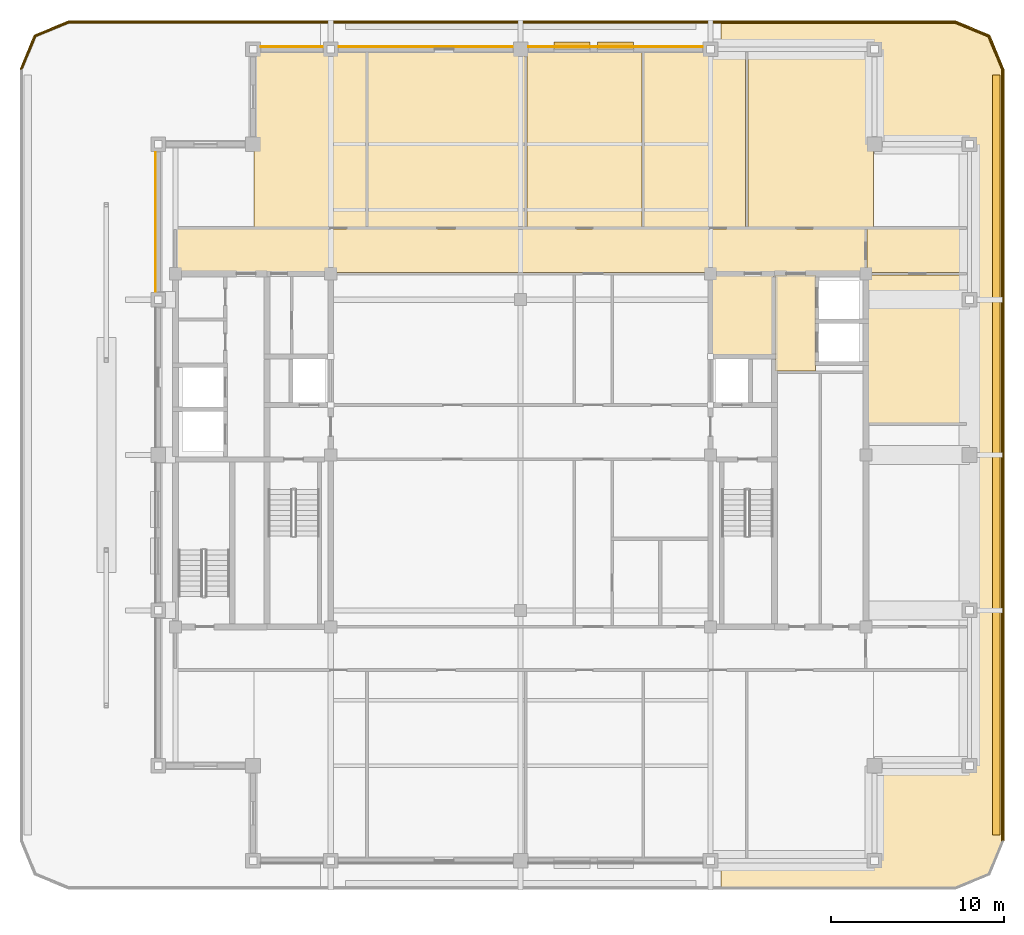
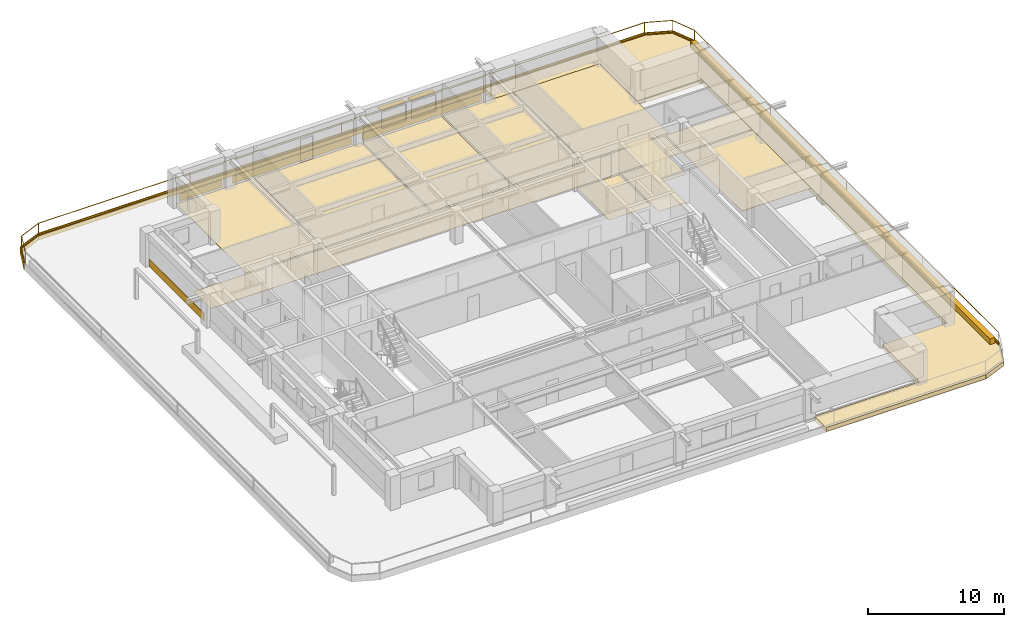
# One storey, part 14 of 14: 23 coverings, 2 railings, 2 shading devices.
"""IFC4 building model written with IfcOpenShell, lengths in metres."""

from ifc_helpers import new_model, si_unit, direction, frame, frame_2d, origin, origin_2d, place, context, subcontext, project, spatial, polyline, rectangle, outline, extrude, material, layer, layer_set, type_object, element, save


model = new_model("IFC4")

# Units and contexts
model_context = context("Model", 3, precision=1e-05, world=origin(), true_north=direction((0.0, 1.0)))
body_context = subcontext(model_context, "Body", "Model", "MODEL_VIEW")
ifc_project = project(units=[si_unit("LENGTHUNIT", "METRE"), si_unit("AREAUNIT", "SQUARE_METRE"), si_unit("VOLUMEUNIT", "CUBIC_METRE"), si_unit("PLANEANGLEUNIT", "RADIAN"), si_unit("MASSUNIT", "GRAM", prefix="KILO")], contexts=[model_context])

# Site, building, storey
site_placement = place(None, origin())
site = spatial("IfcSite", under=ifc_project, at=site_placement, CompositionType="ELEMENT")
building_placement = place(site_placement, origin())
building = spatial("IfcBuilding", under=site, at=building_placement, Name="Zulmaris Gate Convention Tower", CompositionType="ELEMENT")
storey_placement = place(building_placement, frame((0.0, 0.0, 226.820068359375)))
storey = spatial("IfcBuildingStorey", under=building, at=storey_placement, Name="L59", CompositionType="ELEMENT", Elevation=226.820068359375)

# Coverings
ifc_material_1 = material(Name="Precast concrete C40/50", Category="concrete")
ifc_layer_1 = layer(ifc_material_1, 0.0400390625, Name="Precast concrete C40/50")
ifc_layer_set_1 = layer_set([ifc_layer_1], Name="Precast concrete C40/50")
covering_type_1 = type_object("IfcCoveringType", Name="CLAD-SPANDREL-PRECAST", PredefinedType="CLADDING", material=ifc_layer_set_1)
covering_1_placement = place(storey_placement, frame((-11.455078125, 23.64990234375, 0.0), z_axis=(0.0, 0.0, 1.0), x_axis=(-1.0, 0.0, 0.0)))
element("IfcCovering", 1, at=covering_1_placement, inside=storey, type_object=covering_type_1, Name="CLD-L59-N-0_0", PredefinedType="CLADDING", context=body_context, shape_type="SweptSolid", body=[
    extrude(rectangle(XDim=3.58984375, YDim=0.0400390625, at=frame_2d((1.794921875, 0.0))), origin(), (0.0, 0.0, 1.0), 0.679931640625),
])
for number, where, z_axis, x_axis, name in (
    (2, (-0.455078125, 23.64990234375, 0.0), (0.0, 0.0, 1.0), (-1.0, 0.0, 0.0), "CLD-L59-N-1_0"),
    (3, (10.544921875, 23.64990234375, 0.0), (0.0, 0.0, 1.0), (-1.0, 0.0, 0.0), "CLD-L59-N-2_0"),
):
    element("IfcCovering", number, at=place(storey_placement, frame(where, z_axis=z_axis, x_axis=x_axis)), inside=storey, type_object=covering_type_1, Name=name, PredefinedType="CLADDING", context=body_context, shape_type="SweptSolid", body=[
        extrude(rectangle(XDim=10.08984375, YDim=0.0400390625, at=frame_2d((5.044921875, 0.0))), origin(), (0.0, 0.0, 1.0), 0.679931640625),
    ])
covering_2_placement = place(storey_placement, frame((-21.14990234375, 17.544921875, 0.0), z_axis=(0.0, 0.0, 1.0), x_axis=(0.0, -1.0, 0.0)))
element("IfcCovering", 4, at=covering_2_placement, inside=storey, type_object=covering_type_1, Name="CLD-L59-W-3_0", PredefinedType="CLADDING", context=body_context, shape_type="SweptSolid", body=[
    extrude(rectangle(XDim=8.08984375, YDim=0.0400390625, at=frame_2d((4.044921875, 0.0))), origin(), (0.0, 0.0, 1.0), 0.679931640625),
])
ifc_material_2 = material(Name="White Glazed Architectural Precast Concrete C40/50", Category="concrete")
ifc_layer_2 = layer(ifc_material_2, 0.239990234375, Name="White Glazed Architectural Precast Concrete C40/50")
ifc_layer_set_2 = layer_set([ifc_layer_2], Name="White Glazed Architectural Precast Concrete C40/50")
covering_type_2 = type_object("IfcCoveringType", Name="CLAD-TRAY-DECK", PredefinedType="CLADDING", material=ifc_layer_set_2)
covering_3_placement = place(storey_placement, frame((0.0, 0.0, -0.425048828125)))
element("IfcCovering", 5, at=covering_3_placement, inside=storey, type_object=covering_type_2, Name="L59 East Rounded-Fascia Planter Tray Deck", PredefinedType="CLADDING", context=body_context, shape_type="SweptSolid", body=[
    extrude(outline(polyline([(25.199951171875, 25.14990234375), (27.179931640625, 24.329833984375), (28.0, 22.35009765625), (28.0, -22.35009765625), (27.179931640625, -24.329833984375), (25.199951171875, -25.14990234375), (11.60205078125, -25.14990234375), (11.60205078125, -23.5), (20.5, -23.5), (20.5, -18.0), (26.0, -18.0), (26.0, 18.0), (20.5, 18.0), (20.5, 23.5), (11.60205078125, 23.5), (11.60205078125, 25.14990234375), (25.199951171875, 25.14990234375)])), origin(), (0.0, 0.0, 1.0), 0.385009765625),
])
ifc_layer_3 = layer(ifc_material_2, 0.080078125, Name="White Glazed Architectural Precast Concrete C40/50")
ifc_layer_set_3 = layer_set([ifc_layer_3], Name="White Glazed Architectural Precast Concrete C40/50")
covering_type_3 = type_object("IfcCoveringType", Name="CLAD-TRAY-FASCIA", PredefinedType="CLADDING", material=ifc_layer_set_3)
covering_4_placement = place(storey_placement, frame((27.9599609375, -22.35009765625, -0.465087890625), z_axis=(0.0, 0.0, 1.0), x_axis=(0.0, 1.0, 0.0)))
element("IfcCovering", 6, at=covering_4_placement, inside=storey, type_object=covering_type_3, Name="FSC-L59-TR-05", PredefinedType="CLADDING", context=body_context, shape_type="SweptSolid", body=[
    extrude(rectangle(XDim=44.7001953125, YDim=0.080078125, at=frame_2d((22.35009765625, 0.0))), origin(), (0.0, 0.0, 1.0), 0.585205078125),
])
covering_5_placement = place(storey_placement, frame((27.962890625, 22.334716796875, -0.465087890625), z_axis=(0.0, 0.0, 1.0), x_axis=(-0.382656984709, 0.923890487046, 0.0)))
element("IfcCovering", 7, at=covering_5_placement, inside=storey, type_object=covering_type_3, Name="FSC-L59-TR-06", PredefinedType="CLADDING", context=body_context, shape_type="SweptSolid", body=[
    extrude(rectangle(XDim=2.14306640625, YDim=0.080078125, at=frame_2d((1.071533203125, 0.0))), origin(), (0.0, 0.0, 1.0), 0.585205078125),
])
covering_6_placement = place(storey_placement, frame((27.16455078125, 24.29296875, -0.465087890625), z_axis=(0.0, 0.0, 1.0), x_axis=(-0.923873803533, 0.382697263049, 0.0)))
element("IfcCovering", 8, at=covering_6_placement, inside=storey, type_object=covering_type_3, Name="FSC-L59-TR-07", PredefinedType="CLADDING", context=body_context, shape_type="SweptSolid", body=[
    extrude(rectangle(XDim=2.142822265625, YDim=0.080078125, at=frame_2d((1.0712890625, 0.0))), origin(), (0.0, 0.0, 1.0), 0.585205078125),
])
covering_7_placement = place(storey_placement, frame((25.199951171875, 25.110107421875, -0.465087890625), z_axis=(0.0, 0.0, 1.0), x_axis=(-1.0, 0.0, 0.0)))
element("IfcCovering", 9, at=covering_7_placement, inside=storey, type_object=covering_type_3, Name="FSC-L59-TR-08", PredefinedType="CLADDING", context=body_context, shape_type="SweptSolid", body=[
    extrude(rectangle(XDim=51.39990234375, YDim=0.080078125, at=frame_2d((25.699951171875, 0.0))), origin(), (0.0, 0.0, 1.0), 0.585205078125),
])
covering_8_placement = place(storey_placement, frame((-26.184814453125, 25.113037109375, -0.465087890625), z_axis=(0.0, 0.0, 1.0), x_axis=(-0.923873803533, -0.382697263049, 0.0)))
element("IfcCovering", 10, at=covering_8_placement, inside=storey, type_object=covering_type_3, Name="FSC-L59-TR-09", PredefinedType="CLADDING", context=body_context, shape_type="SweptSolid", body=[
    extrude(rectangle(XDim=2.142822265625, YDim=0.080078125, at=frame_2d((1.0712890625, 0.0))), origin(), (0.0, 0.0, 1.0), 0.585205078125),
])
covering_9_placement = place(storey_placement, frame((-28.142822265625, 24.314697265625, -0.465087890625), z_axis=(0.0, 0.0, 1.0), x_axis=(-0.382656984709, -0.923890487046, 0.0)))
element("IfcCovering", 11, at=covering_9_placement, inside=storey, type_object=covering_type_3, Name="FSC-L59-TR-10", PredefinedType="CLADDING", context=body_context, shape_type="SweptSolid", body=[
    extrude(rectangle(XDim=2.14306640625, YDim=0.080078125, at=frame_2d((1.071533203125, 0.0))), origin(), (0.0, 0.0, 1.0), 0.585205078125),
])
ifc_material_3 = material(Name="Mineral Fibre Acoustic Ceiling Tile")
ifc_layer_4 = layer(ifc_material_3, 0.02001953125, Name="Mineral Fibre Acoustic Ceiling Tile")
ifc_layer_set_4 = layer_set([ifc_layer_4], Name="Mineral Fibre Acoustic Ceiling Tile")
covering_type_4 = type_object("IfcCoveringType", Name="CLG-ACOUSTIC-600", PredefinedType="CEILING", material=ifc_layer_set_4)
covering_10_placement = place(storey_placement, frame((0.0, 0.0, 2.537841796875)))
element("IfcCovering", 12, at=covering_10_placement, inside=storey, type_object=covering_type_4, Name="CLG-L59-R23", PredefinedType="CEILING", context=body_context, shape_type="SweptSolid", body=[
    extrude(outline(polyline([(14.760009765625, 4.860107421875), (17.090087890625, 4.860107421875), (17.090087890625, 10.43994140625), (14.760009765625, 10.43994140625), (14.760009765625, 4.860107421875)])), origin(), (0.0, 0.0, 1.0), 0.02001953125),
])
ifc_material_4 = material(Name="Woven Acoustic Wool Carpet Tile")
ifc_layer_5 = layer(ifc_material_4, 0.02001953125, Name="Woven Acoustic Wool Carpet Tile")
ifc_layer_set_5 = layer_set([ifc_layer_5], Name="Woven Acoustic Wool Carpet Tile")
covering_type_5 = type_object("IfcCoveringType", Name="FLR-CARPET-12", PredefinedType="FLOORING", material=ifc_layer_set_5)
covering_11_placement = place(storey_placement, origin())
element("IfcCovering", 13, at=covering_11_placement, inside=storey, type_object=covering_type_5, Name="FLR-L59-R13", PredefinedType="FLOORING", context=body_context, shape_type="SweptSolid", body=[
    extrude(outline(polyline([(11.06005859375, 5.760009765625), (14.639892578125, 5.760009765625), (14.639892578125, 10.43994140625), (11.06005859375, 10.43994140625), (11.06005859375, 5.760009765625)])), origin(), (0.0, 0.0, 1.0), 0.02001953125),
])
covering_12_placement = place(storey_placement, origin())
element("IfcCovering", 14, at=covering_12_placement, inside=storey, type_object=covering_type_5, Name="FLR-L59-R23", PredefinedType="FLOORING", context=body_context, shape_type="SweptSolid", body=[
    extrude(outline(polyline([(14.760009765625, 4.860107421875), (17.090087890625, 4.860107421875), (17.090087890625, 10.43994140625), (14.760009765625, 10.43994140625), (14.760009765625, 4.860107421875)])), origin(), (0.0, 0.0, 1.0), 0.02001953125),
])
covering_13_placement = place(storey_placement, origin())
element("IfcCovering", 15, at=covering_13_placement, inside=storey, type_object=covering_type_5, Name="FLR-L59-R29", PredefinedType="FLOORING", context=body_context, shape_type="SweptSolid", body=[
    extrude(outline(polyline([(-19.93994140625, 10.56005859375), (19.93994140625, 10.56005859375), (19.93994140625, 13.090087890625), (-19.93994140625, 13.090087890625), (-19.93994140625, 10.56005859375)])), origin(), (0.0, 0.0, 1.0), 0.02001953125),
])
covering_14_placement = place(storey_placement, origin())
element("IfcCovering", 16, at=covering_14_placement, inside=storey, type_object=covering_type_5, Name="FLR-L59-R35", PredefinedType="FLOORING", context=body_context, shape_type="SweptSolid", body=[
    extrude(outline(polyline([(-8.840087890625, 13.2099609375), (0.239990234375, 13.2099609375), (0.239990234375, 23.43994140625), (-8.840087890625, 23.43994140625), (-8.840087890625, 13.2099609375)])), origin(), (0.0, 0.0, 1.0), 0.02001953125),
])
covering_15_placement = place(storey_placement, origin())
element("IfcCovering", 17, at=covering_15_placement, inside=storey, type_object=covering_type_5, Name="FLR-L59-R36", PredefinedType="FLOORING", context=body_context, shape_type="SweptSolid", body=[
    extrude(outline(polyline([(0.360107421875, 13.2099609375), (7.0400390625, 13.2099609375), (7.0400390625, 23.43994140625), (0.360107421875, 23.43994140625), (0.360107421875, 13.2099609375)])), origin(), (0.0, 0.0, 1.0), 0.02001953125),
])
covering_16_placement = place(storey_placement, origin())
element("IfcCovering", 18, at=covering_16_placement, inside=storey, type_object=covering_type_5, Name="FLR-L59-R37", PredefinedType="FLOORING", context=body_context, shape_type="SweptSolid", body=[
    extrude(outline(polyline([(7.159912109375, 13.2099609375), (13.0400390625, 13.2099609375), (13.0400390625, 23.43994140625), (7.159912109375, 23.43994140625), (7.159912109375, 13.2099609375)])), origin(), (0.0, 0.0, 1.0), 0.02001953125),
])
covering_17_placement = place(storey_placement, origin())
element("IfcCovering", 19, at=covering_17_placement, inside=storey, type_object=covering_type_5, Name="FLR-L59-R50", PredefinedType="FLOORING", context=body_context, shape_type="SweptSolid", body=[
    extrude(outline(polyline([(20.06005859375, 10.56005859375), (25.93994140625, 10.56005859375), (25.93994140625, 13.090087890625), (20.06005859375, 13.090087890625), (20.06005859375, 10.56005859375)])), origin(), (0.0, 0.0, 1.0), 0.02001953125),
])
covering_18_placement = place(storey_placement, origin())
element("IfcCovering", 20, at=covering_18_placement, inside=storey, type_object=covering_type_5, Name="FLR-L59-R52", PredefinedType="FLOORING", context=body_context, shape_type="SweptSolid", body=[
    extrude(outline(polyline([(20.06005859375, 1.860107421875), (25.93994140625, 1.860107421875), (25.93994140625, 10.43994140625), (20.06005859375, 10.43994140625), (20.06005859375, 1.860107421875)])), origin(), (0.0, 0.0, 1.0), 0.02001953125),
])
ifc_material_5 = material(Name="Engineered Teak Parquet Flooring")
ifc_layer_6 = layer(ifc_material_5, 0.02001953125, Name="Engineered Teak Parquet Flooring")
ifc_layer_set_6 = layer_set([ifc_layer_6], Name="Engineered Teak Parquet Flooring")
covering_type_6 = type_object("IfcCoveringType", Name="FLR-TIMBER-18", PredefinedType="FLOORING", material=ifc_layer_set_6)
covering_19_placement = place(storey_placement, origin())
element("IfcCovering", 21, at=covering_19_placement, inside=storey, type_object=covering_type_6, Name="FLR-L59-R34", PredefinedType="FLOORING", context=body_context, shape_type="SweptSolid", body=[
    extrude(outline(polyline([(-15.43994140625, 13.2099609375), (-8.9599609375, 13.2099609375), (-8.9599609375, 23.43994140625), (-15.43994140625, 23.43994140625), (-15.43994140625, 13.2099609375)])), origin(), (0.0, 0.0, 1.0), 0.02001953125),
])
covering_20_placement = place(storey_placement, origin())
element("IfcCovering", 22, at=covering_20_placement, inside=storey, type_object=covering_type_6, Name="FLR-L59-R38", PredefinedType="FLOORING", context=body_context, shape_type="SweptSolid", body=[
    extrude(outline(polyline([(13.159912109375, 13.2099609375), (20.43994140625, 13.2099609375), (20.43994140625, 23.43994140625), (13.159912109375, 23.43994140625), (13.159912109375, 13.2099609375)])), origin(), (0.0, 0.0, 1.0), 0.02001953125),
])
ifc_material_6 = material(Name="Botanical Green Glazed Precast Concrete C40/50", Category="concrete")
ifc_layer_7 = layer(ifc_material_6, 0.419921875, Name="Botanical Green Glazed Precast Concrete C40/50")
ifc_layer_set_7 = layer_set([ifc_layer_7], Name="Botanical Green Glazed Precast Concrete C40/50")
covering_type_7 = type_object("IfcCoveringType", Name="PLANTER-BOX-200", PredefinedType="CLADDING", material=ifc_layer_set_7)
covering_21_placement = place(storey_placement, frame((0.0, 0.0, -0.0400390625)))
element("IfcCovering", 23, at=covering_21_placement, inside=storey, type_object=covering_type_7, Name="L59 E Full-Length Balcony Tree Planter Trough", PredefinedType="CLADDING", context=body_context, shape_type="SweptSolid", body=[
    extrude(outline(polyline([(27.340087890625, -22.0), (27.760009765625, -22.0), (27.760009765625, 22.0), (27.340087890625, 22.0), (27.340087890625, -22.0)])), origin(), (0.0, 0.0, 1.0), 0.52001953125),
])

# Railings
ifc_material_7 = material(Name="Laminated Glass and Stainless Steel", Category="steel")
railing_type = type_object("IfcRailingType", Name="RL-BALC-1150", PredefinedType="BALUSTRADE", material=ifc_material_7)
railing_1_placement = place(storey_placement, frame((27.8798828125, -22.35009765625, -0.0400390625)))
element("IfcRailing", 24, at=railing_1_placement, inside=storey, type_object=railing_type, Name="RL-L59-BALC-E", PredefinedType="BALUSTRADE", context=body_context, shape_type="SweptSolid", body=[
    extrude(rectangle(XDim=0.048095703125, YDim=0.048095703125, at=origin_2d()), frame((0.0, 0.0, 1.1259765625), z_axis=(0.0, 1.0, 0.0), x_axis=(-1.0, 0.0, 0.0)), (0.0, 0.0, 1.0), 44.7001953125),
    extrude(rectangle(XDim=0.048095703125, YDim=0.048095703125, at=origin_2d()), frame((0.0, 0.0, 0.02392578125), z_axis=(0.0, 1.0, 0.0), x_axis=(-1.0, 0.0, 0.0)), (0.0, 0.0, 1.0), 44.7001953125),
    extrude(rectangle(XDim=0.0419921875, YDim=0.0419921875, at=origin_2d()), origin(), (0.0, 0.0, 1.0), 1.101806640625),
    extrude(rectangle(XDim=0.0419921875, YDim=0.0419921875, at=origin_2d()), frame((0.0, 11.175048828125, 0.0)), (0.0, 0.0, 1.0), 1.101806640625),
    extrude(rectangle(XDim=0.0419921875, YDim=0.0419921875, at=origin_2d()), frame((0.0, 22.35009765625, 0.0)), (0.0, 0.0, 1.0), 1.101806640625),
    extrude(rectangle(XDim=0.0419921875, YDim=0.0419921875, at=origin_2d()), frame((0.0, 33.525146484375, 0.0)), (0.0, 0.0, 1.0), 1.101806640625),
    extrude(rectangle(XDim=0.0419921875, YDim=0.0419921875, at=origin_2d()), frame((0.0, 44.7001953125, 0.0)), (0.0, 0.0, 1.0), 1.101806640625),
])
railing_2_placement = place(storey_placement, frame((27.8798828125, 22.35009765625, -0.0400390625)))
element("IfcRailing", 25, at=railing_2_placement, inside=storey, type_object=railing_type, Name="RL-L59-BALC-N", PredefinedType="BALUSTRADE", context=body_context, shape_type="SweptSolid", body=[
    extrude(rectangle(XDim=0.048095703125, YDim=0.048095703125, at=origin_2d()), frame((0.0, 0.0, 1.1259765625), z_axis=(-0.382670664694, 0.92388482095, 0.0), x_axis=(-0.92388482095, -0.382670664694, 0.0)), (0.0, 0.0, 1.0), 2.051025390625),
    extrude(rectangle(XDim=0.048095703125, YDim=0.048095703125, at=origin_2d()), frame((0.0, 0.0, 0.02392578125), z_axis=(-0.382670664694, 0.92388482095, 0.0), x_axis=(-0.92388482095, -0.382670664694, 0.0)), (0.0, 0.0, 1.0), 2.051025390625),
    extrude(rectangle(XDim=0.048095703125, YDim=0.048095703125, at=origin_2d()), frame((-0.784912109375, 1.89501953125, 1.1259765625), z_axis=(-0.92388482095, 0.382670664694, 0.0), x_axis=(-0.382670664694, -0.92388482095, 0.0)), (0.0, 0.0, 1.0), 2.051025390625),
    extrude(rectangle(XDim=0.048095703125, YDim=0.048095703125, at=origin_2d()), frame((-0.784912109375, 1.89501953125, 0.02392578125), z_axis=(-0.92388482095, 0.382670664694, 0.0), x_axis=(-0.382670664694, -0.92388482095, 0.0)), (0.0, 0.0, 1.0), 2.051025390625),
    extrude(rectangle(XDim=0.048095703125, YDim=0.048095703125, at=origin_2d()), frame((-2.679931640625, 2.679931640625, 1.1259765625), z_axis=(-1.0, 0.0, 0.0), x_axis=(0.0, -1.0, 0.0)), (0.0, 0.0, 1.0), 51.39990234375),
    extrude(rectangle(XDim=0.048095703125, YDim=0.048095703125, at=origin_2d()), frame((-2.679931640625, 2.679931640625, 0.02392578125), z_axis=(-1.0, 0.0, 0.0), x_axis=(0.0, -1.0, 0.0)), (0.0, 0.0, 1.0), 51.39990234375),
    extrude(rectangle(XDim=0.048095703125, YDim=0.048095703125, at=origin_2d()), frame((-54.079833984375, 2.679931640625, 1.1259765625), z_axis=(-0.92388482095, -0.382670664694, 0.0), x_axis=(0.382670664694, -0.92388482095, 0.0)), (0.0, 0.0, 1.0), 2.051025390625),
    extrude(rectangle(XDim=0.048095703125, YDim=0.048095703125, at=origin_2d()), frame((-54.079833984375, 2.679931640625, 0.02392578125), z_axis=(-0.92388482095, -0.382670664694, 0.0), x_axis=(0.382670664694, -0.92388482095, 0.0)), (0.0, 0.0, 1.0), 2.051025390625),
    extrude(rectangle(XDim=0.048095703125, YDim=0.048095703125, at=origin_2d()), frame((-55.974853515625, 1.89501953125, 1.1259765625), z_axis=(-0.382670664694, -0.92388482095, 0.0), x_axis=(0.92388482095, -0.382670664694, 0.0)), (0.0, 0.0, 1.0), 2.051025390625),
    extrude(rectangle(XDim=0.048095703125, YDim=0.048095703125, at=origin_2d()), frame((-55.974853515625, 1.89501953125, 0.02392578125), z_axis=(-0.382670664694, -0.92388482095, 0.0), x_axis=(0.92388482095, -0.382670664694, 0.0)), (0.0, 0.0, 1.0), 2.051025390625),
    extrude(rectangle(XDim=0.0419921875, YDim=0.0419921875, at=origin_2d()), origin(), (0.0, 0.0, 1.0), 1.101806640625),
    extrude(rectangle(XDim=0.0419921875, YDim=0.0419921875, at=origin_2d()), frame((-0.784912109375, 1.89501953125, 0.0)), (0.0, 0.0, 1.0), 1.101806640625),
    extrude(rectangle(XDim=0.0419921875, YDim=0.0419921875, at=origin_2d()), frame((-2.679931640625, 2.679931640625, 0.0)), (0.0, 0.0, 1.0), 1.101806640625),
    extrude(rectangle(XDim=0.0419921875, YDim=0.0419921875, at=origin_2d()), frame((-15.52978515625, 2.679931640625, 0.0)), (0.0, 0.0, 1.0), 1.101806640625),
    extrude(rectangle(XDim=0.0419921875, YDim=0.0419921875, at=origin_2d()), frame((-28.3798828125, 2.679931640625, 0.0)), (0.0, 0.0, 1.0), 1.101806640625),
    extrude(rectangle(XDim=0.0419921875, YDim=0.0419921875, at=origin_2d()), frame((-41.22998046875, 2.679931640625, 0.0)), (0.0, 0.0, 1.0), 1.101806640625),
    extrude(rectangle(XDim=0.0419921875, YDim=0.0419921875, at=origin_2d()), frame((-54.079833984375, 2.679931640625, 0.0)), (0.0, 0.0, 1.0), 1.101806640625),
    extrude(rectangle(XDim=0.0419921875, YDim=0.0419921875, at=origin_2d()), frame((-55.974853515625, 1.89501953125, 0.0)), (0.0, 0.0, 1.0), 1.101806640625),
    extrude(rectangle(XDim=0.0419921875, YDim=0.0419921875, at=origin_2d()), frame((-56.759765625, 0.0, 0.0)), (0.0, 0.0, 1.0), 1.101806640625),
])

# Shading devices
ifc_material_8 = material(Name="Glazed Ceramic Terracotta", Category="masonry")
ifc_layer_8 = layer(ifc_material_8, 0.070068359375, Name="Glazed Ceramic Terracotta")
ifc_layer_set_8 = layer_set([ifc_layer_8], Name="Glazed Ceramic Terracotta")
shading_device_type = type_object("IfcShadingDeviceType", Name="SHD-SUNSHADE-TC", PredefinedType="AWNING", material=ifc_layer_set_8)
for number, where, z_axis, x_axis, name in (
    (26, (6.550048828125, 23.719970703125, 2.22998046875), (0.0, 0.0, 1.0), (-1.0, 0.0, 0.0), "SHD-EW-L59-N-2_0-2"),
    (27, (4.027099609375, 23.719970703125, 2.22998046875), (0.0, 0.0, 1.0), (-1.0, 0.0, 0.0), "SHD-EW-L59-N-2_0-3"),
):
    element("IfcShadingDevice", number, at=place(storey_placement, frame(where, z_axis=z_axis, x_axis=x_axis)), inside=storey, type_object=shading_device_type, Name=name, PredefinedType="AWNING", context=body_context, shape_type="SweptSolid", body=[
        extrude(rectangle(XDim=2.10009765625, YDim=0.43994140625, at=frame_2d((1.050048828125, 0.0))), origin(), (0.0, 0.0, 1.0), 0.070068359375),
    ])

save(model, "model.ifc")
